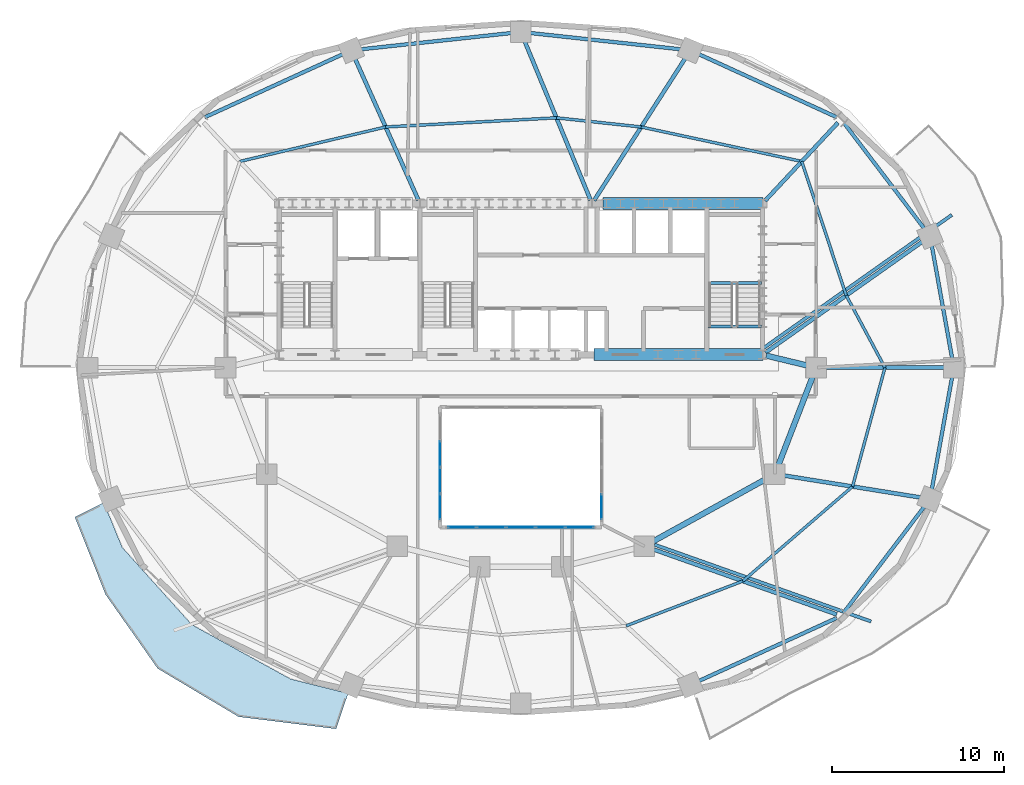
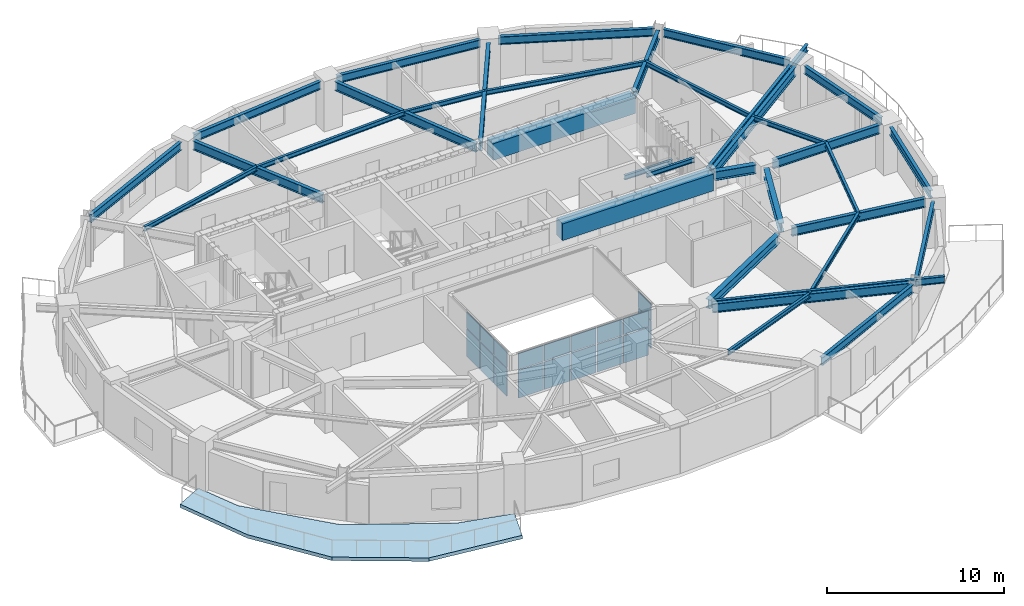
# One storey, part 4 of 11: 35 beams, 18 plates, 1 slab, 3 elements without a shape of their own.
"""IFC4 building model written with IfcOpenShell, lengths in metres."""

from ifc_helpers import new_model, si_unit, direction, frame, origin, origin_2d, place, context, subcontext, project, spatial, polyline, rectangle, i_section, outline, extrude, material, layer, layer_set, material_profile, profile_set, type_object, element, aggregate, save


model = new_model("IFC4")

# Units and contexts
model_context = context("Model", 3, precision=1e-05, world=origin(), true_north=direction((0.0, 1.0)))
body_context = subcontext(model_context, "Body", "Model", "MODEL_VIEW")
ifc_project = project(units=[si_unit("LENGTHUNIT", "METRE"), si_unit("AREAUNIT", "SQUARE_METRE"), si_unit("VOLUMEUNIT", "CUBIC_METRE"), si_unit("PLANEANGLEUNIT", "RADIAN"), si_unit("MASSUNIT", "GRAM", prefix="KILO")], contexts=[model_context])

# Site, building, storey
site_placement = place(None, origin())
site = spatial("IfcSite", under=ifc_project, at=site_placement, CompositionType="ELEMENT")
building_placement = place(site_placement, origin())
building = spatial("IfcBuilding", under=site, at=building_placement, Name="Haldorwick Loom Tower", CompositionType="ELEMENT")
storey_placement = place(building_placement, frame((0.0, 0.0, 164.800048828125)))
storey = spatial("IfcBuildingStorey", under=building, at=storey_placement, Name="L44", CompositionType="ELEMENT", Elevation=164.800048828125)

# Beams
ifc_material_1 = material(Name="Steel CSA G40.21 350W", Category="steel")
ifc_material_profile_1 = material_profile(ifc_material_1, i_section(OverallWidth=0.193115234375, OverallDepth=0.466064453125, WebThickness=0.011474609375, FlangeThickness=0.01904296875, at=origin_2d()), Name="W460X97", Category="steel")
ifc_profile_set_1 = profile_set([ifc_material_profile_1], Name="Steel CSA G40.21 350W")
beam_type_1 = type_object("IfcBeamType", Name="STR-BM-BAL460", PredefinedType="BEAM", material=ifc_profile_set_1)
beam_1_placement = place(storey_placement, frame((43.78369140625, 15.68994140625, 2.97705078125), z_axis=(0.942447955832, -0.334352883266, 0.0), x_axis=(0.334352883266, 0.942447955832, 0.0)))
element("IfcBeam", 1, at=beam_1_placement, inside=storey, type_object=beam_type_1, Name="L44 Continuous Back-Spanned Balcony Beam 1", PredefinedType="BEAM", context=body_context, shape_type="SweptSolid", body=[
    extrude(i_section(OverallWidth=0.193115234375, OverallDepth=0.466064453125, WebThickness=0.011474609375, FlangeThickness=0.01904296875, at=origin_2d()), origin(), (0.0, 0.0, 1.0), 13.385009765625),
])
beam_2_placement = place(storey_placement, frame((50.092041015625, 27.1083984375, 2.97705078125), z_axis=(0.816570288691, 0.577246016554, 0.0), x_axis=(-0.577246016554, 0.816570288691, 0.0)))
element("IfcBeam", 2, at=beam_2_placement, inside=storey, type_object=beam_type_1, Name="L44 Continuous Back-Spanned Balcony Beam 4", PredefinedType="BEAM", context=body_context, shape_type="SweptSolid", body=[
    extrude(i_section(OverallWidth=0.193115234375, OverallDepth=0.466064453125, WebThickness=0.011474609375, FlangeThickness=0.01904296875, at=origin_2d()), origin(), (0.0, 0.0, 1.0), 13.485107421875),
])
ifc_material_2 = material(Name="Concrete C60 (60 MPa)", Category="concrete")
ifc_material_profile_2 = material_profile(ifc_material_2, rectangle(XDim=0.699951171875, YDim=1.14990234375, at=origin_2d()), Name="RC700X1150", Category="concrete")
ifc_profile_set_2 = profile_set([ifc_material_profile_2], Name="Concrete C60 (60 MPa)")
beam_type_2 = type_object("IfcBeamType", Name="STR-BM-CB1150", PredefinedType="LINTEL", material=ifc_profile_set_2)
beam_3_placement = place(storey_placement, frame((40.800048828125, 35.550048828125, 2.635009765625), z_axis=(1.0, 0.0, 0.0), x_axis=(0.0, 1.0, 0.0)))
element("IfcBeam", 3, at=beam_3_placement, inside=storey, type_object=beam_type_2, Name="L44 Core Coupling Beam CB-N3", PredefinedType="LINTEL", context=body_context, shape_type="SweptSolid", body=[
    extrude(rectangle(XDim=0.699951171875, YDim=1.14990234375, at=origin_2d()), origin(), (0.0, 0.0, 1.0), 9.300048828125),
])
beam_4_placement = place(storey_placement, frame((40.25, 26.75, 2.635009765625), z_axis=(1.0, 0.0, 0.0), x_axis=(0.0, 1.0, 0.0)))
element("IfcBeam", 4, at=beam_4_placement, inside=storey, type_object=beam_type_2, Name="L44 Core Coupling Beam CB-S3", PredefinedType="LINTEL", context=body_context, shape_type="SweptSolid", body=[
    extrude(rectangle(XDim=0.699951171875, YDim=1.14990234375, at=origin_2d()), origin(), (0.0, 0.0, 1.0), 9.85009765625),
])
ifc_material_profile_3 = material_profile(ifc_material_1, i_section(OverallWidth=0.166015625, OverallDepth=0.31298828125, WebThickness=0.006591796875, FlangeThickness=0.01123046875, at=origin_2d()), Name="W310X45", Category="steel")
ifc_profile_set_3 = profile_set([ifc_material_profile_3], Name="Steel CSA G40.21 350W")
beam_type_3 = type_object("IfcBeamType", Name="STR-BM-J310", PredefinedType="JOIST", material=ifc_profile_set_3)
beam_5_placement = place(storey_placement, frame((57.20849609375, 26.0, 3.053466796875), z_axis=(-0.472930162238, 0.881099915813, 0.0), x_axis=(-0.881099915813, -0.472930162238, 0.0)))
element("IfcBeam", 5, at=beam_5_placement, inside=storey, type_object=beam_type_3, Name="L44 Mid-Bay Secondary Joist 1", PredefinedType="JOIST", context=body_context, shape_type="SweptSolid", body=[
    extrude(i_section(OverallWidth=0.166015625, OverallDepth=0.31298828125, WebThickness=0.006591796875, FlangeThickness=0.01123046875, at=origin_2d()), origin(), (0.0, 0.0, 1.0), 4.76904296875),
])
beam_6_placement = place(storey_placement, frame((54.953125, 30.201904296875, 3.053466796875), z_axis=(-0.314980632705, 0.949098098734, 0.0), x_axis=(-0.949098098734, -0.314980632705, 0.0)))
element("IfcBeam", 6, at=beam_6_placement, inside=storey, type_object=beam_type_3, Name="L44 Mid-Bay Secondary Joist 2", PredefinedType="JOIST", context=body_context, shape_type="SweptSolid", body=[
    extrude(i_section(OverallWidth=0.166015625, OverallDepth=0.31298828125, WebThickness=0.006591796875, FlangeThickness=0.01123046875, at=origin_2d()), origin(), (0.0, 0.0, 1.0), 8.223876953125),
])
beam_7_placement = place(storey_placement, frame((52.36279296875, 38.007080078125, 3.053466796875), z_axis=(-0.977737366421, 0.209832414808, 0.0), x_axis=(-0.209832414808, -0.977737366421, 0.0)))
element("IfcBeam", 7, at=beam_7_placement, inside=storey, type_object=beam_type_3, Name="L44 Mid-Bay Secondary Joist 3", PredefinedType="JOIST", context=body_context, shape_type="SweptSolid", body=[
    extrude(i_section(OverallWidth=0.166015625, OverallDepth=0.31298828125, WebThickness=0.006591796875, FlangeThickness=0.01123046875, at=origin_2d()), origin(), (0.0, 0.0, 1.0), 9.56396484375),
])
beam_8_placement = place(storey_placement, frame((43.01171875, 40.013916015625, 3.053466796875), z_axis=(-0.994212584227, 0.107430616514, 0.0), x_axis=(-0.107430616514, -0.994212584227, 0.0)))
element("IfcBeam", 8, at=beam_8_placement, inside=storey, type_object=beam_type_3, Name="L44 Mid-Bay Secondary Joist 4", PredefinedType="JOIST", context=body_context, shape_type="SweptSolid", body=[
    extrude(i_section(OverallWidth=0.166015625, OverallDepth=0.31298828125, WebThickness=0.006591796875, FlangeThickness=0.01123046875, at=origin_2d()), origin(), (0.0, 0.0, 1.0), 4.965576171875),
])
beam_9_placement = place(storey_placement, frame((38.074951171875, 40.54736328125, 3.053466796875), z_axis=(-0.998564927415, -0.053554511828, 0.0), x_axis=(0.053554511828, -0.998564927415, 0.0)))
element("IfcBeam", 9, at=beam_9_placement, inside=storey, type_object=beam_type_3, Name="L44 Mid-Bay Secondary Joist 5", PredefinedType="JOIST", context=body_context, shape_type="SweptSolid", body=[
    extrude(i_section(OverallWidth=0.166015625, OverallDepth=0.31298828125, WebThickness=0.006591796875, FlangeThickness=0.01123046875, at=origin_2d()), origin(), (0.0, 0.0, 1.0), 9.9609375),
])
beam_10_placement = place(storey_placement, frame((28.12841796875, 40.013916015625, 3.053466796875), z_axis=(-0.973189168086, -0.230006180612, 0.0), x_axis=(0.230006180612, -0.973189168086, 0.0)))
element("IfcBeam", 10, at=beam_10_placement, inside=storey, type_object=beam_type_3, Name="L44 Mid-Bay Secondary Joist 6", PredefinedType="JOIST", context=body_context, shape_type="SweptSolid", body=[
    extrude(i_section(OverallWidth=0.166015625, OverallDepth=0.31298828125, WebThickness=0.006591796875, FlangeThickness=0.01123046875, at=origin_2d()), origin(), (0.0, 0.0, 1.0), 8.72509765625),
])
beam_11_placement = place(storey_placement, frame((42.13671875, 10.961181640625, 3.053466796875), z_axis=(0.933586737031, 0.358351509609, 0.0), x_axis=(-0.358351509609, 0.933586737031, 0.0)))
element("IfcBeam", 11, at=beam_11_placement, inside=storey, type_object=beam_type_3, Name="L44 Mid-Bay Secondary Joist 14", PredefinedType="JOIST", context=body_context, shape_type="SweptSolid", body=[
    extrude(i_section(OverallWidth=0.166015625, OverallDepth=0.31298828125, WebThickness=0.006591796875, FlangeThickness=0.01123046875, at=origin_2d()), origin(), (0.0, 0.0, 1.0), 7.274169921875),
])
beam_12_placement = place(storey_placement, frame((48.927734375, 13.56787109375, 3.053466796875), z_axis=(0.75763401328, 0.652679631918, 0.0), x_axis=(-0.652679631918, 0.75763401328, 0.0)))
element("IfcBeam", 12, at=beam_12_placement, inside=storey, type_object=beam_type_3, Name="L44 Mid-Bay Secondary Joist 15", PredefinedType="JOIST", context=body_context, shape_type="SweptSolid", body=[
    extrude(i_section(OverallWidth=0.166015625, OverallDepth=0.31298828125, WebThickness=0.006591796875, FlangeThickness=0.01123046875, at=origin_2d()), origin(), (0.0, 0.0, 1.0), 8.4345703125),
])
beam_13_placement = place(storey_placement, frame((55.318115234375, 19.072998046875, 3.053466796875), z_axis=(0.263272762578, 0.964721437766, 0.0), x_axis=(-0.964721437766, 0.263272762578, 0.0)))
element("IfcBeam", 13, at=beam_13_placement, inside=storey, type_object=beam_type_3, Name="L44 Mid-Bay Secondary Joist 16", PredefinedType="JOIST", context=body_context, shape_type="SweptSolid", body=[
    extrude(i_section(OverallWidth=0.166015625, OverallDepth=0.31298828125, WebThickness=0.006591796875, FlangeThickness=0.01123046875, at=origin_2d()), origin(), (0.0, 0.0, 1.0), 7.180419921875),
])
ifc_material_profile_4 = material_profile(ifc_material_1, i_section(OverallWidth=0.2119140625, OverallDepth=0.5439453125, WebThickness=0.01318359375, FlangeThickness=0.021240234375, at=origin_2d()), Name="W530X123", Category="steel")
ifc_profile_set_4 = profile_set([ifc_material_profile_4], Name="Steel CSA G40.21 350W")
beam_type_4 = type_object("IfcBeamType", Name="STR-BM-SP530", PredefinedType="SPANDREL", material=ifc_profile_set_4)
beam_14_placement = place(storey_placement, frame((61.124755859375, 26.51171875, 2.93798828125), z_axis=(-0.177558730702, 0.984110205796, 0.0), x_axis=(-0.984110205796, -0.177558730702, 0.0)))
element("IfcBeam", 14, at=beam_14_placement, inside=storey, type_object=beam_type_4, Name="L44 Perimeter Spandrel 1", PredefinedType="SPANDREL", context=body_context, shape_type="SweptSolid", body=[
    extrude(i_section(OverallWidth=0.2119140625, OverallDepth=0.5439453125, WebThickness=0.01318359375, FlangeThickness=0.021240234375, at=origin_2d()), origin(), (0.0, 0.0, 1.0), 6.737548828125),
])
beam_15_placement = place(storey_placement, frame((59.521240234375, 34.067626953125, 2.93798828125), z_axis=(-0.605421356486, 0.795905133236, 0.0), x_axis=(-0.795905133236, -0.605421356486, 0.0)))
element("IfcBeam", 15, at=beam_15_placement, inside=storey, type_object=beam_type_4, Name="L44 Perimeter Spandrel 2", PredefinedType="SPANDREL", context=body_context, shape_type="SweptSolid", body=[
    extrude(i_section(OverallWidth=0.2119140625, OverallDepth=0.5439453125, WebThickness=0.01318359375, FlangeThickness=0.021240234375, at=origin_2d()), origin(), (0.0, 0.0, 1.0), 7.761962890625),
])
beam_16_placement = place(storey_placement, frame((54.405517578125, 40.57861328125, 2.93798828125), z_axis=(-0.909534296496, 0.415628877121, 0.0), x_axis=(-0.415628877121, -0.909534296496, 0.0)))
element("IfcBeam", 16, at=beam_16_placement, inside=storey, type_object=beam_type_4, Name="L44 Perimeter Spandrel 3", PredefinedType="SPANDREL", context=body_context, shape_type="SweptSolid", body=[
    extrude(i_section(OverallWidth=0.2119140625, OverallDepth=0.5439453125, WebThickness=0.01318359375, FlangeThickness=0.021240234375, at=origin_2d()), origin(), (0.0, 0.0, 1.0), 8.86083984375),
])
for number, where, z_axis, x_axis, name in (
    (17, (45.356201171875, 44.533447265625, 2.93798828125), (-0.994210140187, 0.107453232386, 0.0), (-0.107453232386, -0.994210140187, 0.0), "L44 Perimeter Spandrel 4"),
    (18, (35.48291015625, 45.48876953125, 2.93798828125), (-0.994210140187, -0.107453232386, 0.0), (0.107453232386, -0.994210140187, 0.0), "L44 Perimeter Spandrel 5"),
):
    element("IfcBeam", number, at=place(storey_placement, frame(where, z_axis=z_axis, x_axis=x_axis)), inside=storey, type_object=beam_type_4, Name=name, PredefinedType="SPANDREL", context=body_context, shape_type="SweptSolid", body=[
        extrude(i_section(OverallWidth=0.2119140625, OverallDepth=0.5439453125, WebThickness=0.01318359375, FlangeThickness=0.021240234375, at=origin_2d()), origin(), (0.0, 0.0, 1.0), 8.890625),
    ])
for number, where, z_axis, x_axis, name in (
    (19, (25.65380859375, 44.261474609375, 2.93798828125), (-0.909534296496, -0.415628877121, 0.0), (0.415628877121, -0.909534296496, 0.0), "L44 Perimeter Spandrel 6"),
    (20, (46.34619140625, 7.738525390625, 2.93798828125), (0.909534296496, 0.415628877121, 0.0), (-0.415628877121, 0.909534296496, 0.0), "L44 Perimeter Spandrel 14"),
):
    element("IfcBeam", number, at=place(storey_placement, frame(where, z_axis=z_axis, x_axis=x_axis)), inside=storey, type_object=beam_type_4, Name=name, PredefinedType="SPANDREL", context=body_context, shape_type="SweptSolid", body=[
        extrude(i_section(OverallWidth=0.2119140625, OverallDepth=0.5439453125, WebThickness=0.01318359375, FlangeThickness=0.021240234375, at=origin_2d()), origin(), (0.0, 0.0, 1.0), 8.86083984375),
    ])
beam_17_placement = place(storey_placement, frame((54.822021484375, 11.754638671875, 2.93798828125), z_axis=(0.605421356486, 0.795905133236, 0.0), x_axis=(-0.795905133236, 0.605421356486, 0.0)))
element("IfcBeam", 21, at=beam_17_placement, inside=storey, type_object=beam_type_4, Name="L44 Perimeter Spandrel 15", PredefinedType="SPANDREL", context=body_context, shape_type="SweptSolid", body=[
    extrude(i_section(OverallWidth=0.2119140625, OverallDepth=0.5439453125, WebThickness=0.01318359375, FlangeThickness=0.021240234375, at=origin_2d()), origin(), (0.0, 0.0, 1.0), 7.761962890625),
])
beam_18_placement = place(storey_placement, frame((59.928466796875, 18.85791015625, 2.93798828125), z_axis=(0.177558730702, 0.984110205796, 0.0), x_axis=(-0.984110205796, 0.177558730702, 0.0)))
element("IfcBeam", 22, at=beam_18_placement, inside=storey, type_object=beam_type_4, Name="L44 Perimeter Spandrel 16", PredefinedType="SPANDREL", context=body_context, shape_type="SweptSolid", body=[
    extrude(i_section(OverallWidth=0.2119140625, OverallDepth=0.5439453125, WebThickness=0.01318359375, FlangeThickness=0.021240234375, at=origin_2d()), origin(), (0.0, 0.0, 1.0), 6.737548828125),
])
ifc_material_profile_5 = material_profile(ifc_material_1, i_section(OverallWidth=0.166015625, OverallDepth=0.31298828125, WebThickness=0.006591796875, FlangeThickness=0.01123046875, at=origin_2d()), Name="W310X45", Category="steel")
ifc_profile_set_5 = profile_set([ifc_material_profile_5], Name="Steel CSA G40.21 350W")
beam_type_5 = type_object("IfcBeamType", Name="STR-BM-STRM", PredefinedType="BEAM", material=ifc_profile_set_5)
for number, where, z_axis, x_axis, name in (
    (23, (46.889892578125, 28.39990234375, 3.053466796875), (1.0, 0.0, 0.0), (0.0, 1.0, 0.0), "L44 Stair ST-02 Landing Edge Trimmer"),
    (24, (46.889892578125, 30.919921875, 1.368408203125), (1.0, 0.0, 0.0), (0.0, 1.0, 0.0), "L44 Stair ST-02 Half-Landing Trimmer 1"),
):
    element("IfcBeam", number, at=place(storey_placement, frame(where, z_axis=z_axis, x_axis=x_axis)), inside=storey, type_object=beam_type_5, Name=name, PredefinedType="BEAM", context=body_context, shape_type="SweptSolid", body=[
        extrude(i_section(OverallWidth=0.166015625, OverallDepth=0.31298828125, WebThickness=0.006591796875, FlangeThickness=0.01123046875, at=origin_2d()), origin(), (0.0, 0.0, 1.0), 3.1201171875),
    ])
ifc_material_profile_6 = material_profile(ifc_material_1, i_section(OverallWidth=0.324951171875, OverallDepth=0.615966796875, WebThickness=0.013916015625, FlangeThickness=0.021484375, at=origin_2d()), Name="W610X174", Category="steel")
ifc_profile_set_6 = profile_set([ifc_material_profile_6], Name="Steel CSA G40.21 350W")
beam_type_6 = type_object("IfcBeamType", Name="STR-BM-W610A", PredefinedType="BEAM", material=ifc_profile_set_6)
beam_19_placement = place(storey_placement, frame((50.288818359375, 26.697509765625, 2.90185546875), z_axis=(0.97247055837, -0.233025777764, 0.0), x_axis=(0.233025777764, 0.97247055837, 0.0)))
element("IfcBeam", 25, at=beam_19_placement, inside=storey, type_object=beam_type_6, Name="L44 Inner Ring Girder 1", PredefinedType="BEAM", context=body_context, shape_type="SweptSolid", body=[
    extrude(i_section(OverallWidth=0.324951171875, OverallDepth=0.615966796875, WebThickness=0.013916015625, FlangeThickness=0.021484375, at=origin_2d()), origin(), (0.0, 0.0, 1.0), 2.4736328125),
])
beam_20_placement = place(storey_placement, frame((53.01220703125, 25.51513671875, 2.90185546875), z_axis=(-0.360964792353, -0.93257944363, 0.0), x_axis=(0.93257944363, -0.360964792353, 0.0)))
element("IfcBeam", 26, at=beam_20_placement, inside=storey, type_object=beam_type_6, Name="L44 Inner Ring Girder 2", PredefinedType="BEAM", context=body_context, shape_type="SweptSolid", body=[
    extrude(i_section(OverallWidth=0.324951171875, OverallDepth=0.615966796875, WebThickness=0.013916015625, FlangeThickness=0.021484375, at=origin_2d()), origin(), (0.0, 0.0, 1.0), 5.6083984375),
])
beam_21_placement = place(storey_placement, frame((50.344970703125, 19.548583984375, 2.90185546875), z_axis=(-0.875244382146, -0.483680960471, 0.0), x_axis=(0.483680960471, -0.875244382146, 0.0)))
element("IfcBeam", 27, at=beam_21_placement, inside=storey, type_object=beam_type_6, Name="L44 Inner Ring Girder 3", PredefinedType="BEAM", context=body_context, shape_type="SweptSolid", body=[
    extrude(i_section(OverallWidth=0.324951171875, OverallDepth=0.615966796875, WebThickness=0.013916015625, FlangeThickness=0.021484375, at=origin_2d()), origin(), (0.0, 0.0, 1.0), 7.6435546875),
])
ifc_material_profile_7 = material_profile(ifc_material_1, i_section(OverallWidth=0.22998046875, OverallDepth=0.616943359375, WebThickness=0.01318359375, FlangeThickness=0.022216796875, at=origin_2d()), Name="W610X140", Category="steel")
ifc_profile_set_7 = profile_set([ifc_material_profile_7], Name="Steel CSA G40.21 350W")
beam_type_7 = type_object("IfcBeamType", Name="STR-BM-W610B", PredefinedType="BEAM", material=ifc_profile_set_7)
beam_22_placement = place(storey_placement, frame((53.719970703125, 26.0, 2.9013671875), z_axis=(1.0, 0.0, 0.0), x_axis=(0.0, 1.0, 0.0)))
element("IfcBeam", 28, at=beam_22_placement, inside=storey, type_object=beam_type_7, Name="L44 Radial Floor Girder 1", PredefinedType="BEAM", context=body_context, shape_type="SweptSolid", body=[
    extrude(i_section(OverallWidth=0.22998046875, OverallDepth=0.616943359375, WebThickness=0.01318359375, FlangeThickness=0.022216796875, at=origin_2d()), origin(), (0.0, 0.0, 1.0), 6.97705078125),
])
beam_23_placement = place(storey_placement, frame((50.253662109375, 26.8798828125, 2.9013671875), z_axis=(0.816581567299, 0.577230061542, 0.0), x_axis=(-0.577230061542, 0.816581567299, 0.0)))
element("IfcBeam", 29, at=beam_23_placement, inside=storey, type_object=beam_type_7, Name="L44 Radial Floor Girder 2", PredefinedType="BEAM", context=body_context, shape_type="SweptSolid", body=[
    extrude(i_section(OverallWidth=0.22998046875, OverallDepth=0.616943359375, WebThickness=0.01318359375, FlangeThickness=0.022216796875, at=origin_2d()), origin(), (0.0, 0.0, 1.0), 11.215087890625),
])
beam_24_placement = place(storey_placement, frame((50.223388671875, 35.714599609375, 2.9013671875), z_axis=(0.682256728841, 0.731112683484, 0.0), x_axis=(-0.731112683484, 0.682256728841, 0.0)))
element("IfcBeam", 30, at=beam_24_placement, inside=storey, type_object=beam_type_7, Name="L44 Radial Floor Girder 3", PredefinedType="BEAM", context=body_context, shape_type="SweptSolid", body=[
    extrude(i_section(OverallWidth=0.22998046875, OverallDepth=0.616943359375, WebThickness=0.01318359375, FlangeThickness=0.022216796875, at=origin_2d()), origin(), (0.0, 0.0, 1.0), 6.221435546875),
])
beam_25_placement = place(storey_placement, frame((40.271484375, 35.739501953125, 2.9013671875), z_axis=(0.53969086509, 0.841863272829, 0.0), x_axis=(-0.841863272829, 0.53969086509, 0.0)))
element("IfcBeam", 31, at=beam_25_placement, inside=storey, type_object=beam_type_7, Name="L44 Radial Floor Girder 4", PredefinedType="BEAM", context=body_context, shape_type="SweptSolid", body=[
    extrude(i_section(OverallWidth=0.22998046875, OverallDepth=0.616943359375, WebThickness=0.01318359375, FlangeThickness=0.022216796875, at=origin_2d()), origin(), (0.0, 0.0, 1.0), 9.859375),
])
beam_26_placement = place(storey_placement, frame((40.063720703125, 35.7578125, 2.9013671875), z_axis=(-0.383472813848, 0.923552164764, 0.0), x_axis=(-0.923552164764, -0.383472813848, 0.0)))
element("IfcBeam", 32, at=beam_26_placement, inside=storey, type_object=beam_type_7, Name="L44 Radial Floor Girder 5", PredefinedType="BEAM", context=body_context, shape_type="SweptSolid", body=[
    extrude(i_section(OverallWidth=0.22998046875, OverallDepth=0.616943359375, WebThickness=0.01318359375, FlangeThickness=0.022216796875, at=origin_2d()), origin(), (0.0, 0.0, 1.0), 10.076904296875),
])
beam_27_placement = place(storey_placement, frame((30.037841796875, 35.75537109375, 2.9013671875), z_axis=(-0.409143536778, 0.912470035844, 0.0), x_axis=(-0.912470035844, -0.409143536778, 0.0)))
element("IfcBeam", 33, at=beam_27_placement, inside=storey, type_object=beam_type_7, Name="L44 Radial Floor Girder 6", PredefinedType="BEAM", context=body_context, shape_type="SweptSolid", body=[
    extrude(i_section(OverallWidth=0.22998046875, OverallDepth=0.616943359375, WebThickness=0.01318359375, FlangeThickness=0.022216796875, at=origin_2d()), origin(), (0.0, 0.0, 1.0), 9.0390625),
])
beam_28_placement = place(storey_placement, frame((43.690185546875, 15.426025390625, 2.9013671875), z_axis=(0.9424463153, -0.334357507433, 0.0), x_axis=(0.334357507433, 0.9424463153, 0.0)))
element("IfcBeam", 34, at=beam_28_placement, inside=storey, type_object=beam_type_7, Name="L44 Radial Floor Girder 15", PredefinedType="BEAM", context=body_context, shape_type="SweptSolid", body=[
    extrude(i_section(OverallWidth=0.22998046875, OverallDepth=0.616943359375, WebThickness=0.01318359375, FlangeThickness=0.022216796875, at=origin_2d()), origin(), (0.0, 0.0, 1.0), 11.360107421875),
])
beam_29_placement = place(storey_placement, frame((51.3134765625, 19.71728515625, 2.9013671875), z_axis=(0.987308639475, -0.158813256432, 0.0), x_axis=(0.158813256432, 0.987308639475, 0.0)))
element("IfcBeam", 35, at=beam_29_placement, inside=storey, type_object=beam_type_7, Name="L44 Radial Floor Girder 16", PredefinedType="BEAM", context=body_context, shape_type="SweptSolid", body=[
    extrude(i_section(OverallWidth=0.22998046875, OverallDepth=0.616943359375, WebThickness=0.01318359375, FlangeThickness=0.022216796875, at=origin_2d()), origin(), (0.0, 0.0, 1.0), 8.1123046875),
])

# Curtain wall, plates
ifc_material_3 = material(Name="Thermally Broken Anodized Aluminium Curtain Wall Framing", Category="aluminium")
curtain_wall_type = type_object("IfcCurtainWallType", Name="ARC-CW-03", PredefinedType="NOTDEFINED", material=ifc_material_3)
curtain_wall_1_placement = place(storey_placement, origin())
curtain_wall_1 = element("IfcCurtainWall", 36, at=curtain_wall_1_placement, inside=storey, type_object=curtain_wall_type, Name="L44 Atrium Glazed Screen S", PredefinedType="NOTDEFINED")
ifc_material_4 = material(Name="Triple-Glazed Low-E Argon Insulated Glazing Unit", Category="glass")
ifc_layer_1 = layer(ifc_material_4, 0.04296875, Name="Triple-Glazed Low-E Argon Insulated Glazing Unit", Category="glass")
ifc_layer_set_1 = layer_set([ifc_layer_1], Name="Triple-Glazed Low-E Argon Insulated Glazing Unit")
plate_type = type_object("IfcPlateType", Name="ARC-CWP-03", PredefinedType="CURTAIN_PANEL", material=ifc_layer_set_1)
plate_1_placement = place(storey_placement, frame((39.423583984375, 16.699951171875, 0.06591796875), z_axis=(0.0, 0.0, 1.0), x_axis=(-1.0, 0.0, 0.0)))
plate_1 = element("IfcPlate", 37, at=plate_1_placement, type_object=plate_type, Name="CW-03 panel 1.1", PredefinedType="CURTAIN_PANEL", context=body_context, shape_type="SweptSolid", body=[
    extrude(rectangle(XDim=1.62109375, YDim=0.04296875, at=origin_2d()), origin(), (0.0, 0.0, 1.0), 1.90087890625),
])
plate_2_placement = place(storey_placement, frame((39.423583984375, 16.699951171875, 2.03271484375), z_axis=(0.0, 0.0, 1.0), x_axis=(-1.0, 0.0, 0.0)))
plate_2 = element("IfcPlate", 38, at=plate_2_placement, type_object=plate_type, Name="CW-03 panel 1.2", PredefinedType="CURTAIN_PANEL", context=body_context, shape_type="SweptSolid", body=[
    extrude(rectangle(XDim=1.62109375, YDim=0.04296875, at=origin_2d()), origin(), (0.0, 0.0, 1.0), 1.111083984375),
])
plate_3_placement = place(storey_placement, frame((37.719970703125, 16.699951171875, 0.06591796875), z_axis=(0.0, 0.0, 1.0), x_axis=(-1.0, 0.0, 0.0)))
plate_3 = element("IfcPlate", 39, at=plate_3_placement, type_object=plate_type, Name="CW-03 panel 2.1", PredefinedType="CURTAIN_PANEL", context=body_context, shape_type="SweptSolid", body=[
    extrude(rectangle(XDim=1.654052734375, YDim=0.04296875, at=origin_2d()), origin(), (0.0, 0.0, 1.0), 1.90087890625),
])
plate_4_placement = place(storey_placement, frame((37.719970703125, 16.699951171875, 2.03271484375), z_axis=(0.0, 0.0, 1.0), x_axis=(-1.0, 0.0, 0.0)))
plate_4 = element("IfcPlate", 40, at=plate_4_placement, type_object=plate_type, Name="CW-03 panel 2.2", PredefinedType="CURTAIN_PANEL", context=body_context, shape_type="SweptSolid", body=[
    extrude(rectangle(XDim=1.654052734375, YDim=0.04296875, at=origin_2d()), origin(), (0.0, 0.0, 1.0), 1.111083984375),
])
plate_5_placement = place(storey_placement, frame((36.0, 16.699951171875, 0.06591796875), z_axis=(0.0, 0.0, 1.0), x_axis=(-1.0, 0.0, 0.0)))
plate_5 = element("IfcPlate", 41, at=plate_5_placement, type_object=plate_type, Name="CW-03 panel 3.1", PredefinedType="CURTAIN_PANEL", context=body_context, shape_type="SweptSolid", body=[
    extrude(rectangle(XDim=1.654052734375, YDim=0.04296875, at=origin_2d()), origin(), (0.0, 0.0, 1.0), 1.90087890625),
])
plate_6_placement = place(storey_placement, frame((36.0, 16.699951171875, 2.03271484375), z_axis=(0.0, 0.0, 1.0), x_axis=(-1.0, 0.0, 0.0)))
plate_6 = element("IfcPlate", 42, at=plate_6_placement, type_object=plate_type, Name="CW-03 panel 3.2", PredefinedType="CURTAIN_PANEL", context=body_context, shape_type="SweptSolid", body=[
    extrude(rectangle(XDim=1.654052734375, YDim=0.04296875, at=origin_2d()), origin(), (0.0, 0.0, 1.0), 1.111083984375),
])
plate_7_placement = place(storey_placement, frame((34.280029296875, 16.699951171875, 0.06591796875), z_axis=(0.0, 0.0, 1.0), x_axis=(-1.0, 0.0, 0.0)))
plate_7 = element("IfcPlate", 43, at=plate_7_placement, type_object=plate_type, Name="CW-03 panel 4.1", PredefinedType="CURTAIN_PANEL", context=body_context, shape_type="SweptSolid", body=[
    extrude(rectangle(XDim=1.654052734375, YDim=0.04296875, at=origin_2d()), origin(), (0.0, 0.0, 1.0), 1.90087890625),
])
plate_8_placement = place(storey_placement, frame((34.280029296875, 16.699951171875, 2.03271484375), z_axis=(0.0, 0.0, 1.0), x_axis=(-1.0, 0.0, 0.0)))
plate_8 = element("IfcPlate", 44, at=plate_8_placement, type_object=plate_type, Name="CW-03 panel 4.2", PredefinedType="CURTAIN_PANEL", context=body_context, shape_type="SweptSolid", body=[
    extrude(rectangle(XDim=1.654052734375, YDim=0.04296875, at=origin_2d()), origin(), (0.0, 0.0, 1.0), 1.111083984375),
])
plate_9_placement = place(storey_placement, frame((32.576416015625, 16.699951171875, 0.06591796875), z_axis=(0.0, 0.0, 1.0), x_axis=(-1.0, 0.0, 0.0)))
plate_9 = element("IfcPlate", 45, at=plate_9_placement, type_object=plate_type, Name="CW-03 panel 5.1", PredefinedType="CURTAIN_PANEL", context=body_context, shape_type="SweptSolid", body=[
    extrude(rectangle(XDim=1.62109375, YDim=0.04296875, at=origin_2d()), origin(), (0.0, 0.0, 1.0), 1.90087890625),
])
plate_10_placement = place(storey_placement, frame((32.576416015625, 16.699951171875, 2.03271484375), z_axis=(0.0, 0.0, 1.0), x_axis=(-1.0, 0.0, 0.0)))
plate_10 = element("IfcPlate", 46, at=plate_10_placement, type_object=plate_type, Name="CW-03 panel 5.2", PredefinedType="CURTAIN_PANEL", context=body_context, shape_type="SweptSolid", body=[
    extrude(rectangle(XDim=1.62109375, YDim=0.04296875, at=origin_2d()), origin(), (0.0, 0.0, 1.0), 1.111083984375),
])
aggregate(curtain_wall_1, [plate_1, plate_2, plate_3, plate_4, plate_5, plate_6, plate_7, plate_8, plate_9, plate_10])

curtain_wall_2_placement = place(storey_placement, origin())
curtain_wall_2 = element("IfcCurtainWall", 47, at=curtain_wall_2_placement, inside=storey, type_object=curtain_wall_type, Name="L44 Atrium Glazed Screen W", PredefinedType="NOTDEFINED")
plate_11_placement = place(storey_placement, frame((31.300048828125, 17.8916015625, 0.06591796875), z_axis=(0.0, 0.0, 1.0), x_axis=(0.0, 1.0, 0.0)))
plate_11 = element("IfcPlate", 48, at=plate_11_placement, type_object=plate_type, Name="CW-03 panel 1.1", PredefinedType="CURTAIN_PANEL", context=body_context, shape_type="SweptSolid", body=[
    extrude(rectangle(XDim=1.450927734375, YDim=0.04296875, at=origin_2d()), origin(), (0.0, 0.0, 1.0), 1.90087890625),
])
plate_12_placement = place(storey_placement, frame((31.300048828125, 17.8916015625, 2.03271484375), z_axis=(0.0, 0.0, 1.0), x_axis=(0.0, 1.0, 0.0)))
plate_12 = element("IfcPlate", 49, at=plate_12_placement, type_object=plate_type, Name="CW-03 panel 1.2", PredefinedType="CURTAIN_PANEL", context=body_context, shape_type="SweptSolid", body=[
    extrude(rectangle(XDim=1.450927734375, YDim=0.04296875, at=origin_2d()), origin(), (0.0, 0.0, 1.0), 1.111083984375),
])
plate_13_placement = place(storey_placement, frame((31.300048828125, 19.425048828125, 0.06591796875), z_axis=(0.0, 0.0, 1.0), x_axis=(0.0, 1.0, 0.0)))
plate_13 = element("IfcPlate", 50, at=plate_13_placement, type_object=plate_type, Name="CW-03 panel 2.1", PredefinedType="CURTAIN_PANEL", context=body_context, shape_type="SweptSolid", body=[
    extrude(rectangle(XDim=1.48388671875, YDim=0.04296875, at=origin_2d()), origin(), (0.0, 0.0, 1.0), 1.90087890625),
])
plate_14_placement = place(storey_placement, frame((31.300048828125, 19.425048828125, 2.03271484375), z_axis=(0.0, 0.0, 1.0), x_axis=(0.0, 1.0, 0.0)))
plate_14 = element("IfcPlate", 51, at=plate_14_placement, type_object=plate_type, Name="CW-03 panel 2.2", PredefinedType="CURTAIN_PANEL", context=body_context, shape_type="SweptSolid", body=[
    extrude(rectangle(XDim=1.48388671875, YDim=0.04296875, at=origin_2d()), origin(), (0.0, 0.0, 1.0), 1.111083984375),
])
plate_15_placement = place(storey_placement, frame((31.300048828125, 20.97509765625, 0.06591796875), z_axis=(0.0, 0.0, 1.0), x_axis=(0.0, 1.0, 0.0)))
plate_15 = element("IfcPlate", 52, at=plate_15_placement, type_object=plate_type, Name="CW-03 panel 3.1", PredefinedType="CURTAIN_PANEL", context=body_context, shape_type="SweptSolid", body=[
    extrude(rectangle(XDim=1.48388671875, YDim=0.04296875, at=origin_2d()), origin(), (0.0, 0.0, 1.0), 1.90087890625),
])
plate_16_placement = place(storey_placement, frame((31.300048828125, 20.97509765625, 2.03271484375), z_axis=(0.0, 0.0, 1.0), x_axis=(0.0, 1.0, 0.0)))
plate_16 = element("IfcPlate", 53, at=plate_16_placement, type_object=plate_type, Name="CW-03 panel 3.2", PredefinedType="CURTAIN_PANEL", context=body_context, shape_type="SweptSolid", body=[
    extrude(rectangle(XDim=1.48388671875, YDim=0.04296875, at=origin_2d()), origin(), (0.0, 0.0, 1.0), 1.111083984375),
])
aggregate(curtain_wall_2, [plate_11, plate_12, plate_13, plate_14, plate_15, plate_16])

curtain_wall_3_placement = place(storey_placement, origin())
curtain_wall_3 = element("IfcCurtainWall", 54, at=curtain_wall_3_placement, inside=storey, type_object=curtain_wall_type, Name="L44 Atrium Glazed Screen E", PredefinedType="NOTDEFINED")
plate_17_placement = place(storey_placement, frame((40.699951171875, 17.8916015625, 0.06591796875), z_axis=(0.0, 0.0, 1.0), x_axis=(0.0, -1.0, 0.0)))
plate_17 = element("IfcPlate", 55, at=plate_17_placement, type_object=plate_type, Name="CW-03 panel 4.1", PredefinedType="CURTAIN_PANEL", context=body_context, shape_type="SweptSolid", body=[
    extrude(rectangle(XDim=1.450927734375, YDim=0.04296875, at=origin_2d()), origin(), (0.0, 0.0, 1.0), 1.90087890625),
])
plate_18_placement = place(storey_placement, frame((40.699951171875, 17.8916015625, 2.03271484375), z_axis=(0.0, 0.0, 1.0), x_axis=(0.0, -1.0, 0.0)))
plate_18 = element("IfcPlate", 56, at=plate_18_placement, type_object=plate_type, Name="CW-03 panel 4.2", PredefinedType="CURTAIN_PANEL", context=body_context, shape_type="SweptSolid", body=[
    extrude(rectangle(XDim=1.450927734375, YDim=0.04296875, at=origin_2d()), origin(), (0.0, 0.0, 1.0), 1.111083984375),
])
aggregate(curtain_wall_3, [plate_17, plate_18])

# Slab
ifc_material_5 = material(Name="Concrete C40 (40 MPa)", Category="concrete")
ifc_layer_2 = layer(ifc_material_5, 0.239990234375, Name="Concrete C40 (40 MPa)", Category="concrete")
ifc_layer_set_2 = layer_set([ifc_layer_2], Name="Concrete C40 (40 MPa)")
slab_type = type_object("IfcSlabType", Name="STR-SLB-BAL240", PredefinedType="FLOOR", material=ifc_layer_set_2)
slab_placement = place(storey_placement, frame((0.0, 0.0, -0.239990234375)))
element("IfcSlab", 57, at=slab_placement, inside=storey, type_object=slab_type, Name="L44 Sinusoidal Balcony Terrace BAL_SW", PredefinedType="FLOOR", context=body_context, shape_type="SweptSolid", body=[
    extrude(outline(polyline([(25.939697265625, 7.02783203125), (22.6005859375, 7.861572265625), (22.599365234375, 7.86181640625), (22.59814453125, 7.8623046875), (22.596923828125, 7.863037109375), (16.84228515625, 11.02783203125), (16.8408203125, 11.028564453125), (16.83935546875, 11.02978515625), (16.83837890625, 11.031005859375), (12.786865234375, 15.526123046875), (12.785888671875, 15.527099609375), (12.78515625, 15.528076171875), (12.78466796875, 15.529296875), (12.783935546875, 15.530517578125), (11.715087890625, 18.142822265625), (10.030517578125, 17.2900390625), (11.82080078125, 12.77880859375), (14.848876953125, 8.4794921875), (19.559326171875, 5.66796875), (25.2392578125, 4.96044921875), (25.939697265625, 7.02783203125)])), origin(), (0.0, 0.0, 1.0), 0.239990234375),
])

save(model, "model.ifc")
